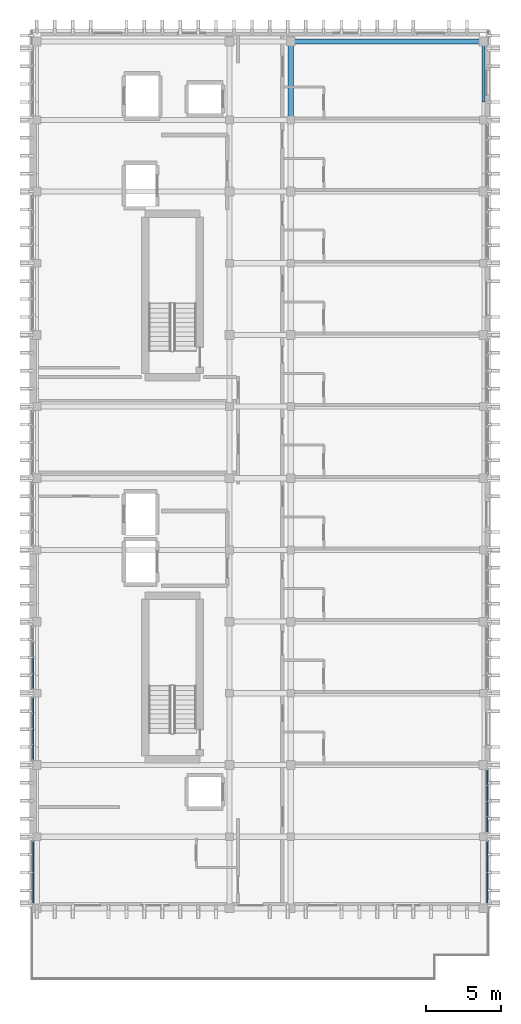
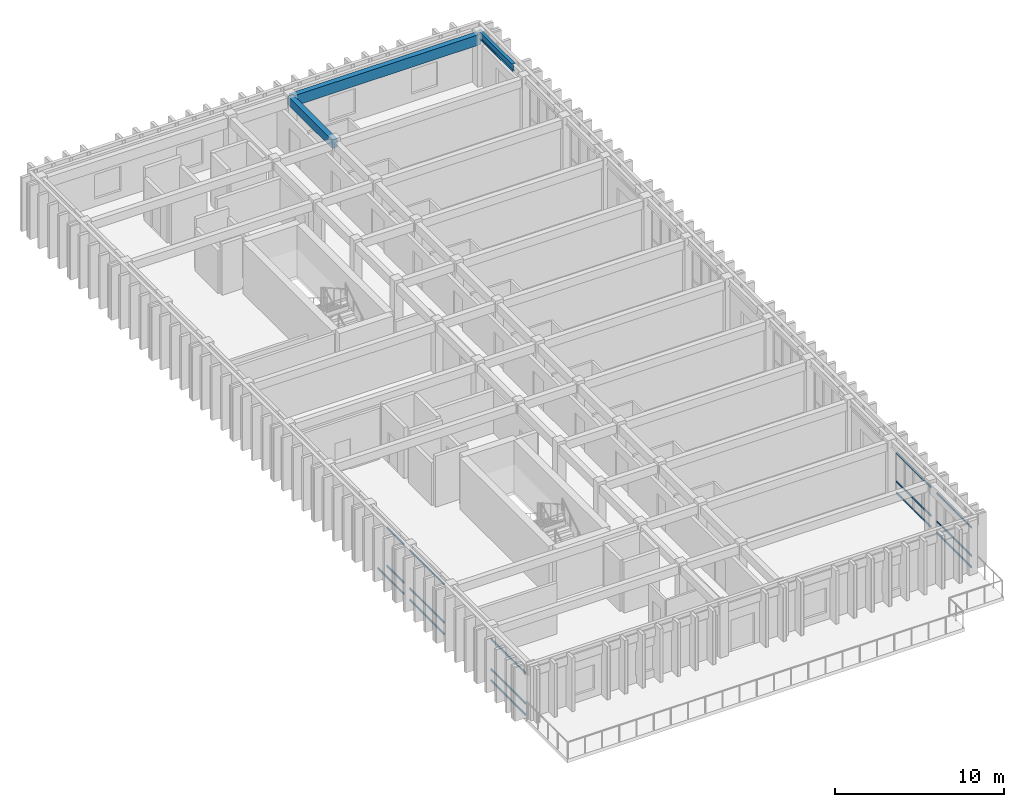
# One storey, part 34 of 49: 55 members, 3 beams, 5 elements without a shape of their own.
"""IFC4 building model written with IfcOpenShell, lengths in metres."""

from ifc_helpers import new_model, si_unit, direction, frame, origin, origin_2d, place, context, subcontext, project, spatial, rectangle, hollow_rectangle, i_section, extrude, material, layer, layer_set, material_profile, profile_set, type_object, element, aggregate, save


model = new_model("IFC4")

# Units and contexts
model_context = context("Model", 3, precision=1e-05, world=origin(), true_north=direction((0.0, 1.0)))
body_context = subcontext(model_context, "Body", "Model", "MODEL_VIEW")
ifc_project = project(units=[si_unit("LENGTHUNIT", "METRE"), si_unit("AREAUNIT", "SQUARE_METRE"), si_unit("VOLUMEUNIT", "CUBIC_METRE"), si_unit("PLANEANGLEUNIT", "RADIAN"), si_unit("MASSUNIT", "GRAM", prefix="KILO")], contexts=[model_context])

# Site, building, storey
site_placement = place(None, origin())
site = spatial("IfcSite", under=ifc_project, at=site_placement, CompositionType="ELEMENT")
building_placement = place(site_placement, origin())
building = spatial("IfcBuilding", under=site, at=building_placement, Name="Nakhvara Creek Congress Hotel", CompositionType="ELEMENT")
storey_placement = place(building_placement, frame((0.0, 0.0, 46.5)))
storey = spatial("IfcBuildingStorey", under=building, at=storey_placement, Name="L11", CompositionType="ELEMENT", Elevation=46.5)

# Beams
ifc_material_1 = material(Name="Concrete C40/50", Category="concrete")
ifc_material_profile_1 = material_profile(ifc_material_1, rectangle(XDim=0.35009765625, YDim=0.60009765625, at=origin_2d()), Name="RC-BM 350x600", Category="LoadBearing")
ifc_profile_set_1 = profile_set([ifc_material_profile_1], Name="Concrete C40/50")
beam_type_1 = type_object("IfcBeamType", Name="BM-RC-350X600", PredefinedType="BEAM", material=ifc_profile_set_1)
beam_1_placement = place(storey_placement, frame((166.449951171875, 120.0, 3.3798828125), z_axis=(0.0, 1.0, 0.0), x_axis=(-1.0, 0.0, 0.0)))
element("IfcBeam", 1, at=beam_1_placement, inside=storey, type_object=beam_type_1, Name="Beam B07-L11-2763", PredefinedType="BEAM", context=body_context, shape_type="SweptSolid", body=[
    extrude(rectangle(XDim=0.35009765625, YDim=0.60009765625, at=origin_2d()), origin(), (0.0, 0.0, 1.0), 5.25),
])
ifc_material_profile_2 = material_profile(ifc_material_1, rectangle(XDim=0.35009765625, YDim=0.75, at=origin_2d()), Name="RC-SPANDREL 350x750", Category="LoadBearing")
ifc_profile_set_2 = profile_set([ifc_material_profile_2], Name="Concrete C40/50")
beam_type_2 = type_object("IfcBeamType", Name="BM-SPN-350X750", PredefinedType="SPANDREL", material=ifc_profile_set_2)
beam_2_placement = place(storey_placement, frame((166.449951171875, 125.25, 3.304931640625), z_axis=(1.0, 0.0, 0.0), x_axis=(0.0, 1.0, 0.0)))
element("IfcBeam", 2, at=beam_2_placement, inside=storey, type_object=beam_type_2, Name="Beam SP1-L11-2762", PredefinedType="SPANDREL", context=body_context, shape_type="SweptSolid", body=[
    extrude(rectangle(XDim=0.35009765625, YDim=0.75, at=origin_2d()), origin(), (0.0, 0.0, 1.0), 12.900146484375),
])
ifc_material_2 = material(Name="Steel S355J2", Category="steel")
ifc_material_profile_3 = material_profile(ifc_material_2, i_section(OverallWidth=0.209228515625, OverallDepth=0.533203125, WebThickness=0.010009765625, FlangeThickness=0.015625, FilletRadius=0.0126953125, at=origin_2d()), Name="UB 533x210x92", Category="LoadBearing")
ifc_profile_set_3 = profile_set([ifc_material_profile_3], Name="Steel S355J2")
beam_type_3 = type_object("IfcBeamType", Name="BM-ST-UB533", PredefinedType="BEAM", material=ifc_profile_set_3)
beam_3_placement = place(storey_placement, frame((179.35009765625, 121.199951171875, 3.6201171875), z_axis=(0.0, 1.0, 0.0), x_axis=(-1.0, 0.0, 0.0)))
element("IfcBeam", 3, at=beam_3_placement, inside=storey, type_object=beam_type_3, Name="Hotel Gable Eave Beam E-11", PredefinedType="BEAM", context=body_context, shape_type="SweptSolid", body=[
    extrude(i_section(OverallWidth=0.209228515625, OverallDepth=0.533203125, WebThickness=0.010009765625, FlangeThickness=0.015625, FilletRadius=0.0126953125, at=origin_2d()), origin(), (0.0, 0.0, 1.0), 4.050048828125),
])

# Curtain wall, members
ifc_material_3 = material(Name="Bronze-anodised aluminium AW-6063-T6 and double-silver low-E glass", Category="aluminium")
ifc_layer = layer(ifc_material_3, 0.199951171875)
ifc_layer_set = layer_set([ifc_layer], Name="Bronze-anodised aluminium AW-6063-T6 and double-silver low-E glass")
curtain_wall_type = type_object("IfcCurtainWallType", Name="CW-HTL-UNIT", PredefinedType="USERDEFINED", material=ifc_layer_set)
curtain_wall_1_placement = place(storey_placement, origin())
curtain_wall_1 = element("IfcCurtainWall", 4, at=curtain_wall_1_placement, inside=storey, type_object=curtain_wall_type, Name="Curtain Wall CW332", ObjectType="UNITISED", PredefinedType="USERDEFINED")
ifc_material_4 = material(Name="Bronze-anodised aluminium AW-6063-T6", Category="aluminium")
ifc_material_profile_4 = material_profile(ifc_material_4, hollow_rectangle(XDim=0.06494140625, YDim=0.1201171875, WallThickness=0.00390625, at=origin_2d()), Name="ALU-TRAN 65x120x4", Category="LoadBearing")
ifc_profile_set_4 = profile_set([ifc_material_profile_4], Name="Bronze-anodised aluminium AW-6063-T6")
member_type = type_object("IfcMemberType", Name="CW-TRAN-120", PredefinedType="USERDEFINED", material=ifc_profile_set_4)
member_1_placement = place(storey_placement, frame((179.60009765625, 71.659912109375, 0.032470703125), z_axis=(0.0, -1.0, 0.0), x_axis=(1.0, 0.0, 0.0)))
member_1 = element("IfcMember", 5, at=member_1_placement, type_object=member_type, Name="CW332 transom 1.1", ObjectType="TRANSOM", PredefinedType="USERDEFINED", context=body_context, shape_type="SweptSolid", body=[
    extrude(hollow_rectangle(XDim=0.06494140625, YDim=0.1201171875, WallThickness=0.00390625, at=origin_2d()), origin(), (0.0, 0.0, 1.0), 0.95751953125),
])
member_2_placement = place(storey_placement, frame((179.60009765625, 71.659912109375, 0.85009765625), z_axis=(0.0, -1.0, 0.0), x_axis=(1.0, 0.0, 0.0)))
member_2 = element("IfcMember", 6, at=member_2_placement, type_object=member_type, Name="CW332 transom 1.2", ObjectType="TRANSOM", PredefinedType="USERDEFINED", context=body_context, shape_type="SweptSolid", body=[
    extrude(hollow_rectangle(XDim=0.06494140625, YDim=0.1201171875, WallThickness=0.00390625, at=origin_2d()), origin(), (0.0, 0.0, 1.0), 0.95751953125),
])
member_3_placement = place(storey_placement, frame((179.60009765625, 71.659912109375, 2.889404296875), z_axis=(0.0, -1.0, 0.0), x_axis=(1.0, 0.0, 0.0)))
member_3 = element("IfcMember", 7, at=member_3_placement, type_object=member_type, Name="CW332 transom 1.3", ObjectType="TRANSOM", PredefinedType="USERDEFINED", context=body_context, shape_type="SweptSolid", body=[
    extrude(hollow_rectangle(XDim=0.06494140625, YDim=0.1201171875, WallThickness=0.00390625, at=origin_2d()), origin(), (0.0, 0.0, 1.0), 0.95751953125),
])
member_4_placement = place(storey_placement, frame((179.60009765625, 70.637451171875, 0.032470703125), z_axis=(0.0, -1.0, 0.0), x_axis=(1.0, 0.0, 0.0)))
member_4 = element("IfcMember", 8, at=member_4_placement, type_object=member_type, Name="CW332 transom 2.1", ObjectType="TRANSOM", PredefinedType="USERDEFINED", context=body_context, shape_type="SweptSolid", body=[
    extrude(hollow_rectangle(XDim=0.06494140625, YDim=0.1201171875, WallThickness=0.00390625, at=origin_2d()), origin(), (0.0, 0.0, 1.0), 0.989990234375),
])
member_5_placement = place(storey_placement, frame((179.60009765625, 70.637451171875, 0.85009765625), z_axis=(0.0, -1.0, 0.0), x_axis=(1.0, 0.0, 0.0)))
member_5 = element("IfcMember", 9, at=member_5_placement, type_object=member_type, Name="CW332 transom 2.2", ObjectType="TRANSOM", PredefinedType="USERDEFINED", context=body_context, shape_type="SweptSolid", body=[
    extrude(hollow_rectangle(XDim=0.06494140625, YDim=0.1201171875, WallThickness=0.00390625, at=origin_2d()), origin(), (0.0, 0.0, 1.0), 0.989990234375),
])
member_6_placement = place(storey_placement, frame((179.60009765625, 70.637451171875, 2.889404296875), z_axis=(0.0, -1.0, 0.0), x_axis=(1.0, 0.0, 0.0)))
member_6 = element("IfcMember", 10, at=member_6_placement, type_object=member_type, Name="CW332 transom 2.3", ObjectType="TRANSOM", PredefinedType="USERDEFINED", context=body_context, shape_type="SweptSolid", body=[
    extrude(hollow_rectangle(XDim=0.06494140625, YDim=0.1201171875, WallThickness=0.00390625, at=origin_2d()), origin(), (0.0, 0.0, 1.0), 0.989990234375),
])
member_7_placement = place(storey_placement, frame((179.60009765625, 69.58251953125, 0.032470703125), z_axis=(0.0, -1.0, 0.0), x_axis=(1.0, 0.0, 0.0)))
member_7 = element("IfcMember", 11, at=member_7_placement, type_object=member_type, Name="CW332 transom 3.1", ObjectType="TRANSOM", PredefinedType="USERDEFINED", context=body_context, shape_type="SweptSolid", body=[
    extrude(hollow_rectangle(XDim=0.06494140625, YDim=0.1201171875, WallThickness=0.00390625, at=origin_2d()), origin(), (0.0, 0.0, 1.0), 0.989990234375),
])
member_8_placement = place(storey_placement, frame((179.60009765625, 69.58251953125, 0.85009765625), z_axis=(0.0, -1.0, 0.0), x_axis=(1.0, 0.0, 0.0)))
member_8 = element("IfcMember", 12, at=member_8_placement, type_object=member_type, Name="CW332 transom 3.2", ObjectType="TRANSOM", PredefinedType="USERDEFINED", context=body_context, shape_type="SweptSolid", body=[
    extrude(hollow_rectangle(XDim=0.06494140625, YDim=0.1201171875, WallThickness=0.00390625, at=origin_2d()), origin(), (0.0, 0.0, 1.0), 0.989990234375),
])
member_9_placement = place(storey_placement, frame((179.60009765625, 69.58251953125, 2.889404296875), z_axis=(0.0, -1.0, 0.0), x_axis=(1.0, 0.0, 0.0)))
member_9 = element("IfcMember", 13, at=member_9_placement, type_object=member_type, Name="CW332 transom 3.3", ObjectType="TRANSOM", PredefinedType="USERDEFINED", context=body_context, shape_type="SweptSolid", body=[
    extrude(hollow_rectangle(XDim=0.06494140625, YDim=0.1201171875, WallThickness=0.00390625, at=origin_2d()), origin(), (0.0, 0.0, 1.0), 0.989990234375),
])
member_10_placement = place(storey_placement, frame((179.60009765625, 68.527587890625, 0.032470703125), z_axis=(0.0, -1.0, 0.0), x_axis=(1.0, 0.0, 0.0)))
member_10 = element("IfcMember", 14, at=member_10_placement, type_object=member_type, Name="CW332 transom 4.1", ObjectType="TRANSOM", PredefinedType="USERDEFINED", context=body_context, shape_type="SweptSolid", body=[
    extrude(hollow_rectangle(XDim=0.06494140625, YDim=0.1201171875, WallThickness=0.00390625, at=origin_2d()), origin(), (0.0, 0.0, 1.0), 0.95751953125),
])
member_11_placement = place(storey_placement, frame((179.60009765625, 68.527587890625, 0.85009765625), z_axis=(0.0, -1.0, 0.0), x_axis=(1.0, 0.0, 0.0)))
member_11 = element("IfcMember", 15, at=member_11_placement, type_object=member_type, Name="CW332 transom 4.2", ObjectType="TRANSOM", PredefinedType="USERDEFINED", context=body_context, shape_type="SweptSolid", body=[
    extrude(hollow_rectangle(XDim=0.06494140625, YDim=0.1201171875, WallThickness=0.00390625, at=origin_2d()), origin(), (0.0, 0.0, 1.0), 0.95751953125),
])
member_12_placement = place(storey_placement, frame((179.60009765625, 68.527587890625, 2.889404296875), z_axis=(0.0, -1.0, 0.0), x_axis=(1.0, 0.0, 0.0)))
member_12 = element("IfcMember", 16, at=member_12_placement, type_object=member_type, Name="CW332 transom 4.3", ObjectType="TRANSOM", PredefinedType="USERDEFINED", context=body_context, shape_type="SweptSolid", body=[
    extrude(hollow_rectangle(XDim=0.06494140625, YDim=0.1201171875, WallThickness=0.00390625, at=origin_2d()), origin(), (0.0, 0.0, 1.0), 0.95751953125),
])
aggregate(curtain_wall_1, [member_1, member_2, member_3, member_4, member_5, member_6, member_7, member_8, member_9, member_10, member_11, member_12])

curtain_wall_2_placement = place(storey_placement, origin())
curtain_wall_2 = element("IfcCurtainWall", 17, at=curtain_wall_2_placement, inside=storey, type_object=curtain_wall_type, Name="Curtain Wall CW333", ObjectType="UNITISED", PredefinedType="USERDEFINED")
member_13_placement = place(storey_placement, frame((149.199951171875, 67.570068359375, 0.032470703125), z_axis=(0.0, 1.0, 0.0), x_axis=(-1.0, 0.0, 0.0)))
member_13 = element("IfcMember", 18, at=member_13_placement, type_object=member_type, Name="CW333 transom 1.1", ObjectType="TRANSOM", PredefinedType="USERDEFINED", context=body_context, shape_type="SweptSolid", body=[
    extrude(hollow_rectangle(XDim=0.06494140625, YDim=0.1201171875, WallThickness=0.00390625, at=origin_2d()), origin(), (0.0, 0.0, 1.0), 0.95751953125),
])
member_14_placement = place(storey_placement, frame((149.199951171875, 67.570068359375, 0.85009765625), z_axis=(0.0, 1.0, 0.0), x_axis=(-1.0, 0.0, 0.0)))
member_14 = element("IfcMember", 19, at=member_14_placement, type_object=member_type, Name="CW333 transom 1.2", ObjectType="TRANSOM", PredefinedType="USERDEFINED", context=body_context, shape_type="SweptSolid", body=[
    extrude(hollow_rectangle(XDim=0.06494140625, YDim=0.1201171875, WallThickness=0.00390625, at=origin_2d()), origin(), (0.0, 0.0, 1.0), 0.95751953125),
])
member_15_placement = place(storey_placement, frame((149.199951171875, 67.570068359375, 3.03955078125), z_axis=(0.0, 1.0, 0.0), x_axis=(-1.0, 0.0, 0.0)))
member_15 = element("IfcMember", 20, at=member_15_placement, type_object=member_type, Name="CW333 transom 1.3", ObjectType="TRANSOM", PredefinedType="USERDEFINED", context=body_context, shape_type="SweptSolid", body=[
    extrude(hollow_rectangle(XDim=0.06494140625, YDim=0.1201171875, WallThickness=0.00390625, at=origin_2d()), origin(), (0.0, 0.0, 1.0), 0.95751953125),
])
member_16_placement = place(storey_placement, frame((149.199951171875, 68.592529296875, 0.032470703125), z_axis=(0.0, 1.0, 0.0), x_axis=(-1.0, 0.0, 0.0)))
member_16 = element("IfcMember", 21, at=member_16_placement, type_object=member_type, Name="CW333 transom 2.1", ObjectType="TRANSOM", PredefinedType="USERDEFINED", context=body_context, shape_type="SweptSolid", body=[
    extrude(hollow_rectangle(XDim=0.06494140625, YDim=0.1201171875, WallThickness=0.00390625, at=origin_2d()), origin(), (0.0, 0.0, 1.0), 0.989990234375),
])
member_17_placement = place(storey_placement, frame((149.199951171875, 68.592529296875, 0.85009765625), z_axis=(0.0, 1.0, 0.0), x_axis=(-1.0, 0.0, 0.0)))
member_17 = element("IfcMember", 22, at=member_17_placement, type_object=member_type, Name="CW333 transom 2.2", ObjectType="TRANSOM", PredefinedType="USERDEFINED", context=body_context, shape_type="SweptSolid", body=[
    extrude(hollow_rectangle(XDim=0.06494140625, YDim=0.1201171875, WallThickness=0.00390625, at=origin_2d()), origin(), (0.0, 0.0, 1.0), 0.989990234375),
])
member_18_placement = place(storey_placement, frame((149.199951171875, 68.592529296875, 3.03955078125), z_axis=(0.0, 1.0, 0.0), x_axis=(-1.0, 0.0, 0.0)))
member_18 = element("IfcMember", 23, at=member_18_placement, type_object=member_type, Name="CW333 transom 2.3", ObjectType="TRANSOM", PredefinedType="USERDEFINED", context=body_context, shape_type="SweptSolid", body=[
    extrude(hollow_rectangle(XDim=0.06494140625, YDim=0.1201171875, WallThickness=0.00390625, at=origin_2d()), origin(), (0.0, 0.0, 1.0), 0.989990234375),
])
member_19_placement = place(storey_placement, frame((149.199951171875, 69.6474609375, 0.032470703125), z_axis=(0.0, 1.0, 0.0), x_axis=(-1.0, 0.0, 0.0)))
member_19 = element("IfcMember", 24, at=member_19_placement, type_object=member_type, Name="CW333 transom 3.1", ObjectType="TRANSOM", PredefinedType="USERDEFINED", context=body_context, shape_type="SweptSolid", body=[
    extrude(hollow_rectangle(XDim=0.06494140625, YDim=0.1201171875, WallThickness=0.00390625, at=origin_2d()), origin(), (0.0, 0.0, 1.0), 0.989990234375),
])
member_20_placement = place(storey_placement, frame((149.199951171875, 69.6474609375, 0.85009765625), z_axis=(0.0, 1.0, 0.0), x_axis=(-1.0, 0.0, 0.0)))
member_20 = element("IfcMember", 25, at=member_20_placement, type_object=member_type, Name="CW333 transom 3.2", ObjectType="TRANSOM", PredefinedType="USERDEFINED", context=body_context, shape_type="SweptSolid", body=[
    extrude(hollow_rectangle(XDim=0.06494140625, YDim=0.1201171875, WallThickness=0.00390625, at=origin_2d()), origin(), (0.0, 0.0, 1.0), 0.989990234375),
])
member_21_placement = place(storey_placement, frame((149.199951171875, 69.6474609375, 3.03955078125), z_axis=(0.0, 1.0, 0.0), x_axis=(-1.0, 0.0, 0.0)))
member_21 = element("IfcMember", 26, at=member_21_placement, type_object=member_type, Name="CW333 transom 3.3", ObjectType="TRANSOM", PredefinedType="USERDEFINED", context=body_context, shape_type="SweptSolid", body=[
    extrude(hollow_rectangle(XDim=0.06494140625, YDim=0.1201171875, WallThickness=0.00390625, at=origin_2d()), origin(), (0.0, 0.0, 1.0), 0.989990234375),
])
member_22_placement = place(storey_placement, frame((149.199951171875, 70.702392578125, 0.032470703125), z_axis=(0.0, 1.0, 0.0), x_axis=(-1.0, 0.0, 0.0)))
member_22 = element("IfcMember", 27, at=member_22_placement, type_object=member_type, Name="CW333 transom 4.1", ObjectType="TRANSOM", PredefinedType="USERDEFINED", context=body_context, shape_type="SweptSolid", body=[
    extrude(hollow_rectangle(XDim=0.06494140625, YDim=0.1201171875, WallThickness=0.00390625, at=origin_2d()), origin(), (0.0, 0.0, 1.0), 0.95751953125),
])
member_23_placement = place(storey_placement, frame((149.199951171875, 70.702392578125, 0.85009765625), z_axis=(0.0, 1.0, 0.0), x_axis=(-1.0, 0.0, 0.0)))
member_23 = element("IfcMember", 28, at=member_23_placement, type_object=member_type, Name="CW333 transom 4.2", ObjectType="TRANSOM", PredefinedType="USERDEFINED", context=body_context, shape_type="SweptSolid", body=[
    extrude(hollow_rectangle(XDim=0.06494140625, YDim=0.1201171875, WallThickness=0.00390625, at=origin_2d()), origin(), (0.0, 0.0, 1.0), 0.95751953125),
])
member_24_placement = place(storey_placement, frame((149.199951171875, 70.702392578125, 3.03955078125), z_axis=(0.0, 1.0, 0.0), x_axis=(-1.0, 0.0, 0.0)))
member_24 = element("IfcMember", 29, at=member_24_placement, type_object=member_type, Name="CW333 transom 4.3", ObjectType="TRANSOM", PredefinedType="USERDEFINED", context=body_context, shape_type="SweptSolid", body=[
    extrude(hollow_rectangle(XDim=0.06494140625, YDim=0.1201171875, WallThickness=0.00390625, at=origin_2d()), origin(), (0.0, 0.0, 1.0), 0.95751953125),
])
aggregate(curtain_wall_2, [member_13, member_14, member_15, member_16, member_17, member_18, member_19, member_20, member_21, member_22, member_23, member_24])

curtain_wall_3_placement = place(storey_placement, origin())
curtain_wall_3 = element("IfcCurtainWall", 30, at=curtain_wall_3_placement, inside=storey, type_object=curtain_wall_type, Name="Curtain Wall CW334", ObjectType="UNITISED", PredefinedType="USERDEFINED")
member_25_placement = place(storey_placement, frame((179.60009765625, 76.429931640625, 0.032470703125), z_axis=(0.0, -1.0, 0.0), x_axis=(1.0, 0.0, 0.0)))
member_25 = element("IfcMember", 31, at=member_25_placement, type_object=member_type, Name="CW334 transom 1.1", ObjectType="TRANSOM", PredefinedType="USERDEFINED", context=body_context, shape_type="SweptSolid", body=[
    extrude(hollow_rectangle(XDim=0.06494140625, YDim=0.1201171875, WallThickness=0.00390625, at=origin_2d()), origin(), (0.0, 0.0, 1.0), 0.95751953125),
])
member_26_placement = place(storey_placement, frame((179.60009765625, 76.429931640625, 0.85009765625), z_axis=(0.0, -1.0, 0.0), x_axis=(1.0, 0.0, 0.0)))
member_26 = element("IfcMember", 32, at=member_26_placement, type_object=member_type, Name="CW334 transom 1.2", ObjectType="TRANSOM", PredefinedType="USERDEFINED", context=body_context, shape_type="SweptSolid", body=[
    extrude(hollow_rectangle(XDim=0.06494140625, YDim=0.1201171875, WallThickness=0.00390625, at=origin_2d()), origin(), (0.0, 0.0, 1.0), 0.95751953125),
])
member_27_placement = place(storey_placement, frame((179.60009765625, 76.429931640625, 2.889404296875), z_axis=(0.0, -1.0, 0.0), x_axis=(1.0, 0.0, 0.0)))
member_27 = element("IfcMember", 33, at=member_27_placement, type_object=member_type, Name="CW334 transom 1.3", ObjectType="TRANSOM", PredefinedType="USERDEFINED", context=body_context, shape_type="SweptSolid", body=[
    extrude(hollow_rectangle(XDim=0.06494140625, YDim=0.1201171875, WallThickness=0.00390625, at=origin_2d()), origin(), (0.0, 0.0, 1.0), 0.95751953125),
])
member_28_placement = place(storey_placement, frame((179.60009765625, 75.407470703125, 0.032470703125), z_axis=(0.0, -1.0, 0.0), x_axis=(1.0, 0.0, 0.0)))
member_28 = element("IfcMember", 34, at=member_28_placement, type_object=member_type, Name="CW334 transom 2.1", ObjectType="TRANSOM", PredefinedType="USERDEFINED", context=body_context, shape_type="SweptSolid", body=[
    extrude(hollow_rectangle(XDim=0.06494140625, YDim=0.1201171875, WallThickness=0.00390625, at=origin_2d()), origin(), (0.0, 0.0, 1.0), 0.989990234375),
])
member_29_placement = place(storey_placement, frame((179.60009765625, 75.407470703125, 0.85009765625), z_axis=(0.0, -1.0, 0.0), x_axis=(1.0, 0.0, 0.0)))
member_29 = element("IfcMember", 35, at=member_29_placement, type_object=member_type, Name="CW334 transom 2.2", ObjectType="TRANSOM", PredefinedType="USERDEFINED", context=body_context, shape_type="SweptSolid", body=[
    extrude(hollow_rectangle(XDim=0.06494140625, YDim=0.1201171875, WallThickness=0.00390625, at=origin_2d()), origin(), (0.0, 0.0, 1.0), 0.989990234375),
])
member_30_placement = place(storey_placement, frame((179.60009765625, 75.407470703125, 2.889404296875), z_axis=(0.0, -1.0, 0.0), x_axis=(1.0, 0.0, 0.0)))
member_30 = element("IfcMember", 36, at=member_30_placement, type_object=member_type, Name="CW334 transom 2.3", ObjectType="TRANSOM", PredefinedType="USERDEFINED", context=body_context, shape_type="SweptSolid", body=[
    extrude(hollow_rectangle(XDim=0.06494140625, YDim=0.1201171875, WallThickness=0.00390625, at=origin_2d()), origin(), (0.0, 0.0, 1.0), 0.989990234375),
])
member_31_placement = place(storey_placement, frame((179.60009765625, 74.3525390625, 0.032470703125), z_axis=(0.0, -1.0, 0.0), x_axis=(1.0, 0.0, 0.0)))
member_31 = element("IfcMember", 37, at=member_31_placement, type_object=member_type, Name="CW334 transom 3.1", ObjectType="TRANSOM", PredefinedType="USERDEFINED", context=body_context, shape_type="SweptSolid", body=[
    extrude(hollow_rectangle(XDim=0.06494140625, YDim=0.1201171875, WallThickness=0.00390625, at=origin_2d()), origin(), (0.0, 0.0, 1.0), 0.989990234375),
])
member_32_placement = place(storey_placement, frame((179.60009765625, 74.3525390625, 0.85009765625), z_axis=(0.0, -1.0, 0.0), x_axis=(1.0, 0.0, 0.0)))
member_32 = element("IfcMember", 38, at=member_32_placement, type_object=member_type, Name="CW334 transom 3.2", ObjectType="TRANSOM", PredefinedType="USERDEFINED", context=body_context, shape_type="SweptSolid", body=[
    extrude(hollow_rectangle(XDim=0.06494140625, YDim=0.1201171875, WallThickness=0.00390625, at=origin_2d()), origin(), (0.0, 0.0, 1.0), 0.989990234375),
])
member_33_placement = place(storey_placement, frame((179.60009765625, 74.3525390625, 2.889404296875), z_axis=(0.0, -1.0, 0.0), x_axis=(1.0, 0.0, 0.0)))
member_33 = element("IfcMember", 39, at=member_33_placement, type_object=member_type, Name="CW334 transom 3.3", ObjectType="TRANSOM", PredefinedType="USERDEFINED", context=body_context, shape_type="SweptSolid", body=[
    extrude(hollow_rectangle(XDim=0.06494140625, YDim=0.1201171875, WallThickness=0.00390625, at=origin_2d()), origin(), (0.0, 0.0, 1.0), 0.989990234375),
])
member_34_placement = place(storey_placement, frame((179.60009765625, 73.297607421875, 0.032470703125), z_axis=(0.0, -1.0, 0.0), x_axis=(1.0, 0.0, 0.0)))
member_34 = element("IfcMember", 40, at=member_34_placement, type_object=member_type, Name="CW334 transom 4.1", ObjectType="TRANSOM", PredefinedType="USERDEFINED", context=body_context, shape_type="SweptSolid", body=[
    extrude(hollow_rectangle(XDim=0.06494140625, YDim=0.1201171875, WallThickness=0.00390625, at=origin_2d()), origin(), (0.0, 0.0, 1.0), 0.95751953125),
])
member_35_placement = place(storey_placement, frame((179.60009765625, 73.297607421875, 0.85009765625), z_axis=(0.0, -1.0, 0.0), x_axis=(1.0, 0.0, 0.0)))
member_35 = element("IfcMember", 41, at=member_35_placement, type_object=member_type, Name="CW334 transom 4.2", ObjectType="TRANSOM", PredefinedType="USERDEFINED", context=body_context, shape_type="SweptSolid", body=[
    extrude(hollow_rectangle(XDim=0.06494140625, YDim=0.1201171875, WallThickness=0.00390625, at=origin_2d()), origin(), (0.0, 0.0, 1.0), 0.95751953125),
])
member_36_placement = place(storey_placement, frame((179.60009765625, 73.297607421875, 2.889404296875), z_axis=(0.0, -1.0, 0.0), x_axis=(1.0, 0.0, 0.0)))
member_36 = element("IfcMember", 42, at=member_36_placement, type_object=member_type, Name="CW334 transom 4.3", ObjectType="TRANSOM", PredefinedType="USERDEFINED", context=body_context, shape_type="SweptSolid", body=[
    extrude(hollow_rectangle(XDim=0.06494140625, YDim=0.1201171875, WallThickness=0.00390625, at=origin_2d()), origin(), (0.0, 0.0, 1.0), 0.95751953125),
])
aggregate(curtain_wall_3, [member_25, member_26, member_27, member_28, member_29, member_30, member_31, member_32, member_33, member_34, member_35, member_36])

curtain_wall_4_placement = place(storey_placement, origin())
curtain_wall_4 = element("IfcCurtainWall", 43, at=curtain_wall_4_placement, inside=storey, type_object=curtain_wall_type, Name="Curtain Wall CW335", ObjectType="UNITISED", PredefinedType="USERDEFINED")
member_37_placement = place(storey_placement, frame((149.199951171875, 77.169921875, 0.032470703125), z_axis=(0.0, 1.0, 0.0), x_axis=(-1.0, 0.0, 0.0)))
member_37 = element("IfcMember", 44, at=member_37_placement, type_object=member_type, Name="CW335 transom 1.1", ObjectType="TRANSOM", PredefinedType="USERDEFINED", context=body_context, shape_type="SweptSolid", body=[
    extrude(hollow_rectangle(XDim=0.06494140625, YDim=0.1201171875, WallThickness=0.00390625, at=origin_2d()), origin(), (0.0, 0.0, 1.0), 0.95751953125),
])
member_38_placement = place(storey_placement, frame((149.199951171875, 77.169921875, 0.85009765625), z_axis=(0.0, 1.0, 0.0), x_axis=(-1.0, 0.0, 0.0)))
member_38 = element("IfcMember", 45, at=member_38_placement, type_object=member_type, Name="CW335 transom 1.2", ObjectType="TRANSOM", PredefinedType="USERDEFINED", context=body_context, shape_type="SweptSolid", body=[
    extrude(hollow_rectangle(XDim=0.06494140625, YDim=0.1201171875, WallThickness=0.00390625, at=origin_2d()), origin(), (0.0, 0.0, 1.0), 0.95751953125),
])
member_39_placement = place(storey_placement, frame((149.199951171875, 77.169921875, 3.617431640625), z_axis=(0.0, 1.0, 0.0), x_axis=(-1.0, 0.0, 0.0)))
member_39 = element("IfcMember", 46, at=member_39_placement, type_object=member_type, Name="CW335 transom 1.3", ObjectType="TRANSOM", PredefinedType="USERDEFINED", context=body_context, shape_type="SweptSolid", body=[
    extrude(hollow_rectangle(XDim=0.06494140625, YDim=0.1201171875, WallThickness=0.00390625, at=origin_2d()), origin(), (0.0, 0.0, 1.0), 0.95751953125),
])
member_40_placement = place(storey_placement, frame((149.199951171875, 78.1923828125, 0.032470703125), z_axis=(0.0, 1.0, 0.0), x_axis=(-1.0, 0.0, 0.0)))
member_40 = element("IfcMember", 47, at=member_40_placement, type_object=member_type, Name="CW335 transom 2.1", ObjectType="TRANSOM", PredefinedType="USERDEFINED", context=body_context, shape_type="SweptSolid", body=[
    extrude(hollow_rectangle(XDim=0.06494140625, YDim=0.1201171875, WallThickness=0.00390625, at=origin_2d()), origin(), (0.0, 0.0, 1.0), 0.990234375),
])
member_41_placement = place(storey_placement, frame((149.199951171875, 78.1923828125, 0.85009765625), z_axis=(0.0, 1.0, 0.0), x_axis=(-1.0, 0.0, 0.0)))
member_41 = element("IfcMember", 48, at=member_41_placement, type_object=member_type, Name="CW335 transom 2.2", ObjectType="TRANSOM", PredefinedType="USERDEFINED", context=body_context, shape_type="SweptSolid", body=[
    extrude(hollow_rectangle(XDim=0.06494140625, YDim=0.1201171875, WallThickness=0.00390625, at=origin_2d()), origin(), (0.0, 0.0, 1.0), 0.990234375),
])
member_42_placement = place(storey_placement, frame((149.199951171875, 78.1923828125, 3.617431640625), z_axis=(0.0, 1.0, 0.0), x_axis=(-1.0, 0.0, 0.0)))
member_42 = element("IfcMember", 49, at=member_42_placement, type_object=member_type, Name="CW335 transom 2.3", ObjectType="TRANSOM", PredefinedType="USERDEFINED", context=body_context, shape_type="SweptSolid", body=[
    extrude(hollow_rectangle(XDim=0.06494140625, YDim=0.1201171875, WallThickness=0.00390625, at=origin_2d()), origin(), (0.0, 0.0, 1.0), 0.990234375),
])
member_43_placement = place(storey_placement, frame((149.199951171875, 79.24755859375, 0.032470703125), z_axis=(0.0, 1.0, 0.0), x_axis=(-1.0, 0.0, 0.0)))
member_43 = element("IfcMember", 50, at=member_43_placement, type_object=member_type, Name="CW335 transom 3.1", ObjectType="TRANSOM", PredefinedType="USERDEFINED", context=body_context, shape_type="SweptSolid", body=[
    extrude(hollow_rectangle(XDim=0.06494140625, YDim=0.1201171875, WallThickness=0.00390625, at=origin_2d()), origin(), (0.0, 0.0, 1.0), 0.989990234375),
])
member_44_placement = place(storey_placement, frame((149.199951171875, 79.24755859375, 0.85009765625), z_axis=(0.0, 1.0, 0.0), x_axis=(-1.0, 0.0, 0.0)))
member_44 = element("IfcMember", 51, at=member_44_placement, type_object=member_type, Name="CW335 transom 3.2", ObjectType="TRANSOM", PredefinedType="USERDEFINED", context=body_context, shape_type="SweptSolid", body=[
    extrude(hollow_rectangle(XDim=0.06494140625, YDim=0.1201171875, WallThickness=0.00390625, at=origin_2d()), origin(), (0.0, 0.0, 1.0), 0.989990234375),
])
member_45_placement = place(storey_placement, frame((149.199951171875, 79.24755859375, 3.617431640625), z_axis=(0.0, 1.0, 0.0), x_axis=(-1.0, 0.0, 0.0)))
member_45 = element("IfcMember", 52, at=member_45_placement, type_object=member_type, Name="CW335 transom 3.3", ObjectType="TRANSOM", PredefinedType="USERDEFINED", context=body_context, shape_type="SweptSolid", body=[
    extrude(hollow_rectangle(XDim=0.06494140625, YDim=0.1201171875, WallThickness=0.00390625, at=origin_2d()), origin(), (0.0, 0.0, 1.0), 0.989990234375),
])
member_46_placement = place(storey_placement, frame((149.199951171875, 80.302490234375, 0.032470703125), z_axis=(0.0, 1.0, 0.0), x_axis=(-1.0, 0.0, 0.0)))
member_46 = element("IfcMember", 53, at=member_46_placement, type_object=member_type, Name="CW335 transom 4.1", ObjectType="TRANSOM", PredefinedType="USERDEFINED", context=body_context, shape_type="SweptSolid", body=[
    extrude(hollow_rectangle(XDim=0.06494140625, YDim=0.1201171875, WallThickness=0.00390625, at=origin_2d()), origin(), (0.0, 0.0, 1.0), 0.95751953125),
])
member_47_placement = place(storey_placement, frame((149.199951171875, 80.302490234375, 0.85009765625), z_axis=(0.0, 1.0, 0.0), x_axis=(-1.0, 0.0, 0.0)))
member_47 = element("IfcMember", 54, at=member_47_placement, type_object=member_type, Name="CW335 transom 4.2", ObjectType="TRANSOM", PredefinedType="USERDEFINED", context=body_context, shape_type="SweptSolid", body=[
    extrude(hollow_rectangle(XDim=0.06494140625, YDim=0.1201171875, WallThickness=0.00390625, at=origin_2d()), origin(), (0.0, 0.0, 1.0), 0.95751953125),
])
member_48_placement = place(storey_placement, frame((149.199951171875, 80.302490234375, 3.617431640625), z_axis=(0.0, 1.0, 0.0), x_axis=(-1.0, 0.0, 0.0)))
member_48 = element("IfcMember", 55, at=member_48_placement, type_object=member_type, Name="CW335 transom 4.3", ObjectType="TRANSOM", PredefinedType="USERDEFINED", context=body_context, shape_type="SweptSolid", body=[
    extrude(hollow_rectangle(XDim=0.06494140625, YDim=0.1201171875, WallThickness=0.00390625, at=origin_2d()), origin(), (0.0, 0.0, 1.0), 0.95751953125),
])
aggregate(curtain_wall_4, [member_37, member_38, member_39, member_40, member_41, member_42, member_43, member_44, member_45, member_46, member_47, member_48])

curtain_wall_5_placement = place(storey_placement, origin())
curtain_wall_5 = element("IfcCurtainWall", 56, at=curtain_wall_5_placement, inside=storey, type_object=curtain_wall_type, Name="Curtain Wall CW337", ObjectType="UNITISED", PredefinedType="USERDEFINED")
member_49_placement = place(storey_placement, frame((149.199951171875, 81.93994140625, 0.032470703125), z_axis=(0.0, 1.0, 0.0), x_axis=(-1.0, 0.0, 0.0)))
member_49 = element("IfcMember", 57, at=member_49_placement, type_object=member_type, Name="CW337 transom 1.1", ObjectType="TRANSOM", PredefinedType="USERDEFINED", context=body_context, shape_type="SweptSolid", body=[
    extrude(hollow_rectangle(XDim=0.06494140625, YDim=0.1201171875, WallThickness=0.00390625, at=origin_2d()), origin(), (0.0, 0.0, 1.0), 0.95751953125),
])
member_50_placement = place(storey_placement, frame((149.199951171875, 81.93994140625, 0.85009765625), z_axis=(0.0, 1.0, 0.0), x_axis=(-1.0, 0.0, 0.0)))
member_50 = element("IfcMember", 58, at=member_50_placement, type_object=member_type, Name="CW337 transom 1.2", ObjectType="TRANSOM", PredefinedType="USERDEFINED", context=body_context, shape_type="SweptSolid", body=[
    extrude(hollow_rectangle(XDim=0.06494140625, YDim=0.1201171875, WallThickness=0.00390625, at=origin_2d()), origin(), (0.0, 0.0, 1.0), 0.95751953125),
])
member_51_placement = place(storey_placement, frame((149.199951171875, 81.93994140625, 3.617431640625), z_axis=(0.0, 1.0, 0.0), x_axis=(-1.0, 0.0, 0.0)))
member_51 = element("IfcMember", 59, at=member_51_placement, type_object=member_type, Name="CW337 transom 1.3", ObjectType="TRANSOM", PredefinedType="USERDEFINED", context=body_context, shape_type="SweptSolid", body=[
    extrude(hollow_rectangle(XDim=0.06494140625, YDim=0.1201171875, WallThickness=0.00390625, at=origin_2d()), origin(), (0.0, 0.0, 1.0), 0.95751953125),
])
member_52_placement = place(storey_placement, frame((149.199951171875, 82.96240234375, 0.032470703125), z_axis=(0.0, 1.0, 0.0), x_axis=(-1.0, 0.0, 0.0)))
member_52 = element("IfcMember", 60, at=member_52_placement, type_object=member_type, Name="CW337 transom 2.1", ObjectType="TRANSOM", PredefinedType="USERDEFINED", context=body_context, shape_type="SweptSolid", body=[
    extrude(hollow_rectangle(XDim=0.06494140625, YDim=0.1201171875, WallThickness=0.00390625, at=origin_2d()), origin(), (0.0, 0.0, 1.0), 0.989990234375),
])
member_53_placement = place(storey_placement, frame((149.199951171875, 82.96240234375, 0.85009765625), z_axis=(0.0, 1.0, 0.0), x_axis=(-1.0, 0.0, 0.0)))
member_53 = element("IfcMember", 61, at=member_53_placement, type_object=member_type, Name="CW337 transom 2.2", ObjectType="TRANSOM", PredefinedType="USERDEFINED", context=body_context, shape_type="SweptSolid", body=[
    extrude(hollow_rectangle(XDim=0.06494140625, YDim=0.1201171875, WallThickness=0.00390625, at=origin_2d()), origin(), (0.0, 0.0, 1.0), 0.989990234375),
])
member_54_placement = place(storey_placement, frame((149.199951171875, 82.96240234375, 3.617431640625), z_axis=(0.0, 1.0, 0.0), x_axis=(-1.0, 0.0, 0.0)))
member_54 = element("IfcMember", 62, at=member_54_placement, type_object=member_type, Name="CW337 transom 2.3", ObjectType="TRANSOM", PredefinedType="USERDEFINED", context=body_context, shape_type="SweptSolid", body=[
    extrude(hollow_rectangle(XDim=0.06494140625, YDim=0.1201171875, WallThickness=0.00390625, at=origin_2d()), origin(), (0.0, 0.0, 1.0), 0.989990234375),
])
member_55_placement = place(storey_placement, frame((149.199951171875, 84.017578125, 0.032470703125), z_axis=(0.0, 1.0, 0.0), x_axis=(-1.0, 0.0, 0.0)))
member_55 = element("IfcMember", 63, at=member_55_placement, type_object=member_type, Name="CW337 transom 3.1", ObjectType="TRANSOM", PredefinedType="USERDEFINED", context=body_context, shape_type="SweptSolid", body=[
    extrude(hollow_rectangle(XDim=0.06494140625, YDim=0.1201171875, WallThickness=0.00390625, at=origin_2d()), origin(), (0.0, 0.0, 1.0), 0.989990234375),
])
aggregate(curtain_wall_5, [member_49, member_50, member_51, member_52, member_53, member_54, member_55])

save(model, "model.ifc")
